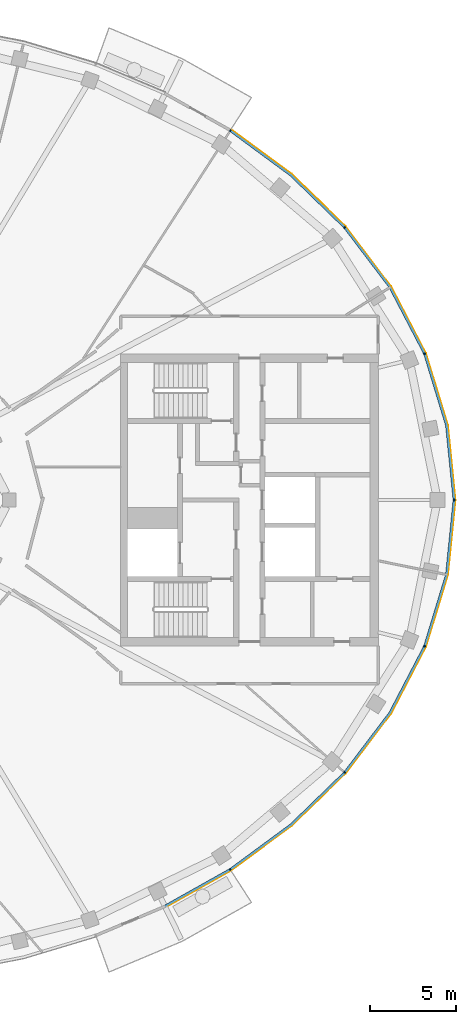
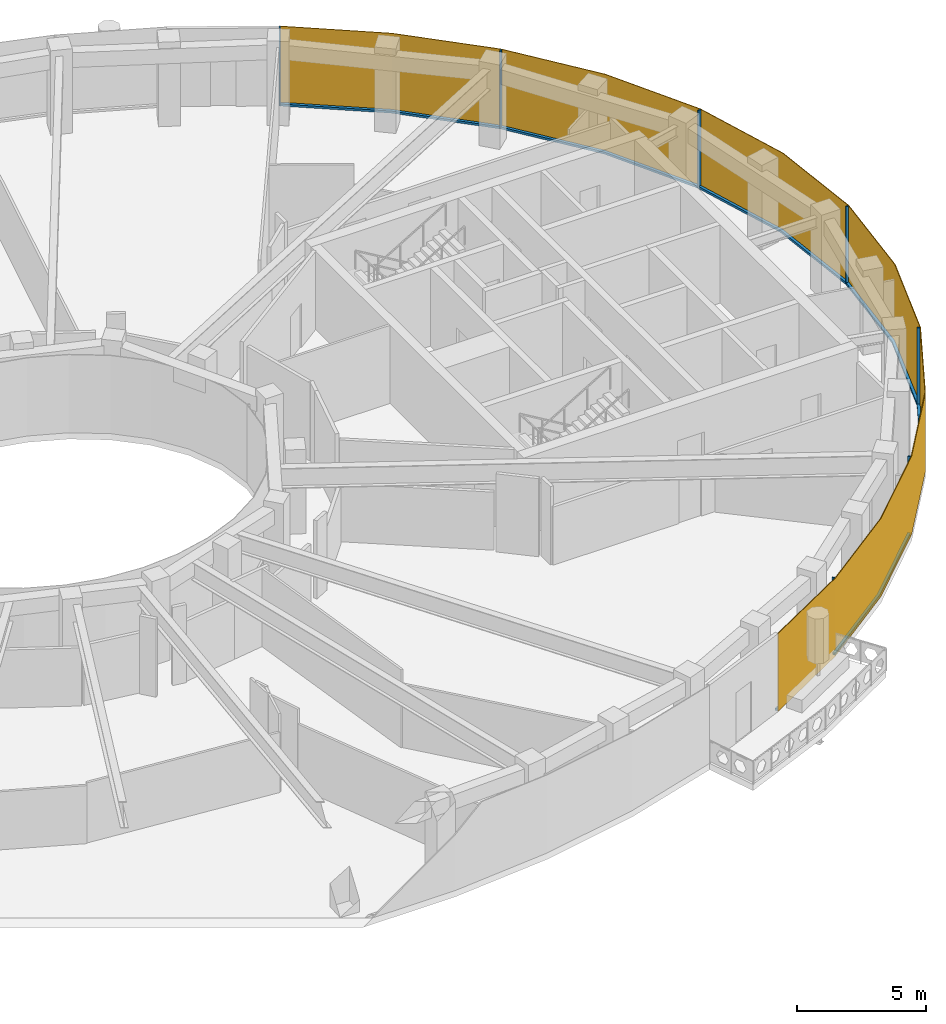
# One storey, part 14 of 18: 14 members, 1 curtain wall.
"""IFC4 building model written with IfcOpenShell, lengths in metres."""

from ifc_helpers import new_model, si_unit, direction, frame, origin, origin_2d, place, context, subcontext, project, spatial, polyline, rectangle, outline, extrude, material, layer, layer_set, material_profile, profile_set, type_object, element, aggregate, save


model = new_model("IFC4")

# Units and contexts
model_context = context("Model", 3, precision=1e-05, world=origin(), true_north=direction((0.0, 1.0)))
body_context = subcontext(model_context, "Body", "Model", "MODEL_VIEW")
ifc_project = project(units=[si_unit("LENGTHUNIT", "METRE"), si_unit("AREAUNIT", "SQUARE_METRE"), si_unit("VOLUMEUNIT", "CUBIC_METRE"), si_unit("PLANEANGLEUNIT", "RADIAN"), si_unit("MASSUNIT", "GRAM", prefix="KILO")], contexts=[model_context])

# Member
ifc_material_1 = material(Name="Aluminium 6063-T6 black anodised", Category="aluminium")
ifc_material_profile = material_profile(ifc_material_1, rectangle(XDim=0.1201171875, YDim=0.06005859375, at=origin_2d()), Name="120x60")
ifc_profile_set = profile_set([ifc_material_profile], Name="Aluminium 6063-T6 black anodised")
member_type_1 = type_object("IfcMemberType", Name="ENV-MULLION-A-120", PredefinedType="MULLION", material=ifc_profile_set)
site_placement = place(None, origin())
building_placement = place(site_placement, origin())
storey_placement = place(building_placement, frame((0.0, 0.0, 319.0)))
member_1_placement = place(storey_placement, frame((22.882568359375, -21.506591796875, 0.0), z_axis=(0.0, 0.0, 1.0), x_axis=(-0.542279153225, 0.840198381323, 0.0)))
member_1 = element("IfcMember", 1, at=member_1_placement, type_object=member_type_1, Name="Mullion A radial 41", PredefinedType="MULLION", context=body_context, shape_type="SweptSolid", body=[
    extrude(rectangle(XDim=0.1201171875, YDim=0.06005859375, at=origin_2d()), origin(), (0.0, 0.0, 1.0), 3.699951171875),
])

member_2_placement = place(storey_placement, frame((29.53857421875, -15.8671875, 0.0), z_axis=(0.0, 0.0, 1.0), x_axis=(-0.749047221705, 0.662516610853, 0.0)))
member_2 = element("IfcMember", 2, at=member_2_placement, type_object=member_type_1, Name="Mullion A radial 43", PredefinedType="MULLION", context=body_context, shape_type="SweptSolid", body=[
    extrude(rectangle(XDim=0.1201171875, YDim=0.06005859375, at=origin_2d()), origin(), (0.0, 0.0, 1.0), 3.699951171875),
])

member_3_placement = place(storey_placement, frame((34.19580078125, -8.513916015625, 0.0), z_axis=(0.0, 0.0, 1.0), x_axis=(-0.92546738067, 0.378827305398, 0.0)))
member_3 = element("IfcMember", 3, at=member_3_placement, type_object=member_type_1, Name="Mullion A radial 45", PredefinedType="MULLION", context=body_context, shape_type="SweptSolid", body=[
    extrude(rectangle(XDim=0.1201171875, YDim=0.06005859375, at=origin_2d()), origin(), (0.0, 0.0, 1.0), 3.699951171875),
])

member_4_placement = place(storey_placement, frame((35.907958984375, 0.0, 0.0), z_axis=(0.0, 0.0, 1.0), x_axis=(-1.0, 0.0, 0.0)))
member_4 = element("IfcMember", 4, at=member_4_placement, type_object=member_type_1, Name="Mullion A radial 01", PredefinedType="MULLION", context=body_context, shape_type="SweptSolid", body=[
    extrude(rectangle(XDim=0.1201171875, YDim=0.06005859375, at=origin_2d()), origin(), (0.0, 0.0, 1.0), 3.699951171875),
])

member_5_placement = place(storey_placement, frame((34.19580078125, 8.513916015625, 0.0), z_axis=(0.0, 0.0, 1.0), x_axis=(-0.92546738067, -0.378827305398, 0.0)))
member_5 = element("IfcMember", 5, at=member_5_placement, type_object=member_type_1, Name="Mullion A radial 03", PredefinedType="MULLION", context=body_context, shape_type="SweptSolid", body=[
    extrude(rectangle(XDim=0.1201171875, YDim=0.06005859375, at=origin_2d()), origin(), (0.0, 0.0, 1.0), 3.699951171875),
])

member_6_placement = place(storey_placement, frame((29.53857421875, 15.8671875, 0.0), z_axis=(0.0, 0.0, 1.0), x_axis=(-0.749047221705, -0.662516610853, 0.0)))
member_6 = element("IfcMember", 6, at=member_6_placement, type_object=member_type_1, Name="Mullion A radial 05", PredefinedType="MULLION", context=body_context, shape_type="SweptSolid", body=[
    extrude(rectangle(XDim=0.1201171875, YDim=0.06005859375, at=origin_2d()), origin(), (0.0, 0.0, 1.0), 3.699951171875),
])

member_7_placement = place(storey_placement, frame((22.882568359375, 21.506591796875, 0.0), z_axis=(0.0, 0.0, 1.0), x_axis=(-0.542279153225, -0.840198381323, 0.0)))
member_7 = element("IfcMember", 7, at=member_7_placement, type_object=member_type_1, Name="Mullion A radial 07", PredefinedType="MULLION", context=body_context, shape_type="SweptSolid", body=[
    extrude(rectangle(XDim=0.1201171875, YDim=0.06005859375, at=origin_2d()), origin(), (0.0, 0.0, 1.0), 3.699951171875),
])

ifc_material_2 = material(Name="Aluminium 6063-T6 black anodised", Category="aluminium")
member_type_2 = type_object("IfcMemberType", Name="ENV-TRANSOM-A", PredefinedType="USERDEFINED", material=ifc_material_2)
member_8_placement = place(storey_placement, origin())
member_8 = element("IfcMember", 8, at=member_8_placement, type_object=member_type_2, Name="Transom A radial 40-41", ObjectType="TRANSOM", PredefinedType="USERDEFINED", context=body_context, shape_type="SweptSolid", body=[
    extrude(outline(polyline([(19.111572265625, -23.691650390625), (22.890625, -21.570556640625), (22.825439453125, -21.469482421875), (19.058837890625, -23.58349609375), (19.111572265625, -23.691650390625)])), origin(), (0.0, 0.0, 1.0), 0.10009765625),
])

member_9_placement = place(storey_placement, origin())
member_9 = element("IfcMember", 9, at=member_9_placement, type_object=member_type_2, Name="Transom A radial 41-43", ObjectType="TRANSOM", PredefinedType="USERDEFINED", context=body_context, shape_type="SweptSolid", body=[
    extrude(outline(polyline([(22.937744140625, -21.540283203125), (26.4423828125, -18.958740234375), (29.5634765625, -15.926513671875), (29.473388671875, -15.8466796875), (26.364501953125, -18.866943359375), (22.87255859375, -21.439208984375), (22.937744140625, -21.540283203125)])), origin(), (0.0, 0.0, 1.0), 0.10009765625),
])

member_10_placement = place(storey_placement, origin())
member_10 = element("IfcMember", 10, at=member_10_placement, type_object=member_type_2, Name="Transom A radial 43-45", ObjectType="TRANSOM", PredefinedType="USERDEFINED", context=body_context, shape_type="SweptSolid", body=[
    extrude(outline(polyline([(29.6005859375, -15.884521484375), (32.22802734375, -12.41748046875), (34.23828125, -8.5615234375), (34.126708984375, -8.515869140625), (32.126220703125, -12.35302734375), (29.51025390625, -15.8046875), (29.6005859375, -15.884521484375)])), origin(), (0.0, 0.0, 1.0), 0.10009765625),
])

member_11_placement = place(storey_placement, origin())
member_11 = element("IfcMember", 11, at=member_11_placement, type_object=member_type_2, Name="Transom A radial 45-01", ObjectType="TRANSOM", PredefinedType="USERDEFINED", context=body_context, shape_type="SweptSolid", body=[
    extrude(outline(polyline([(34.259521484375, -8.509765625), (35.529541015625, -4.352294921875), (35.965087890625, -0.02783203125), (35.844482421875, -0.02783203125), (35.411376953125, -4.32861328125), (34.14794921875, -8.464111328125), (34.259521484375, -8.509765625)])), origin(), (0.0, 0.0, 1.0), 0.10009765625),
])

member_12_placement = place(storey_placement, origin())
member_12 = element("IfcMember", 12, at=member_12_placement, type_object=member_type_2, Name="Transom A radial 01-03", ObjectType="TRANSOM", PredefinedType="USERDEFINED", context=body_context, shape_type="SweptSolid", body=[
    extrude(outline(polyline([(35.965087890625, 0.02783203125), (35.529541015625, 4.352294921875), (34.259521484375, 8.509765625), (34.14794921875, 8.464111328125), (35.411376953125, 4.32861328125), (35.844482421875, 0.02783203125), (35.965087890625, 0.02783203125)])), origin(), (0.0, 0.0, 1.0), 0.10009765625),
])

member_13_placement = place(storey_placement, origin())
member_13 = element("IfcMember", 13, at=member_13_placement, type_object=member_type_2, Name="Transom A radial 03-05", ObjectType="TRANSOM", PredefinedType="USERDEFINED", context=body_context, shape_type="SweptSolid", body=[
    extrude(outline(polyline([(34.23828125, 8.5615234375), (32.22802734375, 12.41748046875), (29.6005859375, 15.884521484375), (29.51025390625, 15.8046875), (32.126220703125, 12.35302734375), (34.126708984375, 8.515869140625), (34.23828125, 8.5615234375)])), origin(), (0.0, 0.0, 1.0), 0.10009765625),
])

member_14_placement = place(storey_placement, origin())
member_14 = element("IfcMember", 14, at=member_14_placement, type_object=member_type_2, Name="Transom A radial 05-07", ObjectType="TRANSOM", PredefinedType="USERDEFINED", context=body_context, shape_type="SweptSolid", body=[
    extrude(outline(polyline([(29.5634765625, 15.926513671875), (26.4423828125, 18.958740234375), (22.937744140625, 21.540283203125), (22.87255859375, 21.439208984375), (26.364501953125, 18.866943359375), (29.473388671875, 15.8466796875), (29.5634765625, 15.926513671875)])), origin(), (0.0, 0.0, 1.0), 0.10009765625),
])

# Site, building, storey
site = spatial("IfcSite", under=ifc_project, at=site_placement, CompositionType="ELEMENT")
building = spatial("IfcBuilding", under=site, at=building_placement, Name="Noorbagh Ring Tower", CompositionType="ELEMENT")
storey = spatial("IfcBuildingStorey", under=building, at=storey_placement, Name="L69", CompositionType="ELEMENT", Elevation=319.0)

# Curtain wall
ifc_material_3 = material(Name="Glass dark tinted laminated", Category="glass")
ifc_layer = layer(ifc_material_3, 0.031982421875)
ifc_layer_set = layer_set([ifc_layer], Name="Glass dark tinted laminated")
curtain_wall_type = type_object("IfcCurtainWallType", Name="ENV-CW-A", PredefinedType="NOTDEFINED", material=ifc_layer_set)
curtain_wall_placement = place(storey_placement, origin())
curtain_wall = element("IfcCurtainWall", 15, at=curtain_wall_placement, inside=storey, type_object=curtain_wall_type, Name="Curtain wall A R40", PredefinedType="NOTDEFINED", context=body_context, shape_type="SweptSolid", body=[
    extrude(outline(polyline([(19.125732421875, -23.720458984375), (22.9326171875, -21.583740234375), (26.463134765625, -18.9833984375), (29.607666015625, -15.927978515625), (32.255126953125, -12.434814453125), (34.281005859375, -8.548828125), (35.561279296875, -4.358642578125), (36.0, 0.0), (35.561279296875, 4.358642578125), (34.281005859375, 8.548828125), (32.255126953125, 12.434814453125), (29.607666015625, 15.927978515625), (26.463134765625, 18.9833984375), (22.948486328125, 21.572021484375), (22.931396484375, 21.544921875), (26.4423828125, 18.958740234375), (29.58349609375, 15.906982421875), (32.22802734375, 12.41748046875), (34.251220703125, 8.53662109375), (35.529541015625, 4.352294921875), (35.9677734375, 0.0), (35.529541015625, -4.352294921875), (34.251220703125, -8.53662109375), (32.22802734375, -12.41748046875), (29.58349609375, -15.906982421875), (26.4423828125, -18.958740234375), (22.9150390625, -21.556884765625), (19.111572265625, -23.691650390625), (19.125732421875, -23.720458984375)])), origin(), (0.0, 0.0, 1.0), 3.699951171875),
])

aggregate(curtain_wall, [member_1, member_2, member_3, member_4, member_5, member_6, member_7, member_8, member_9, member_10, member_11, member_12, member_13, member_14])

save(model, "model.ifc")
